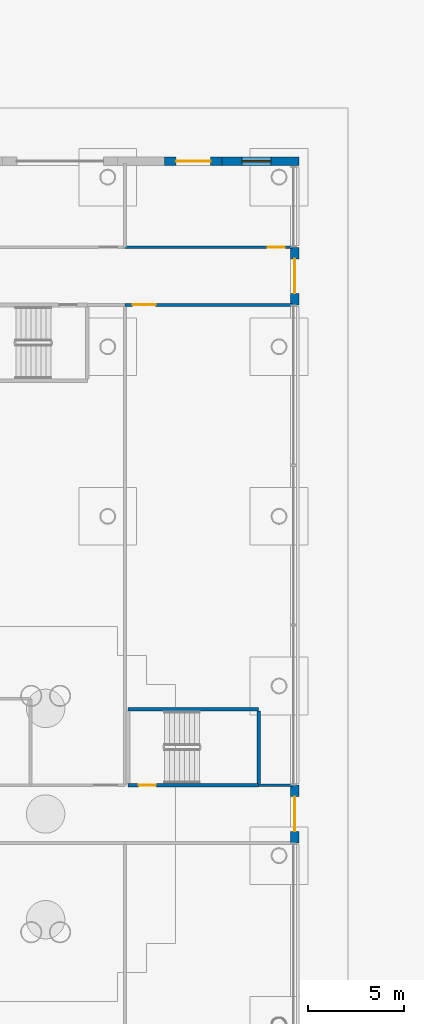
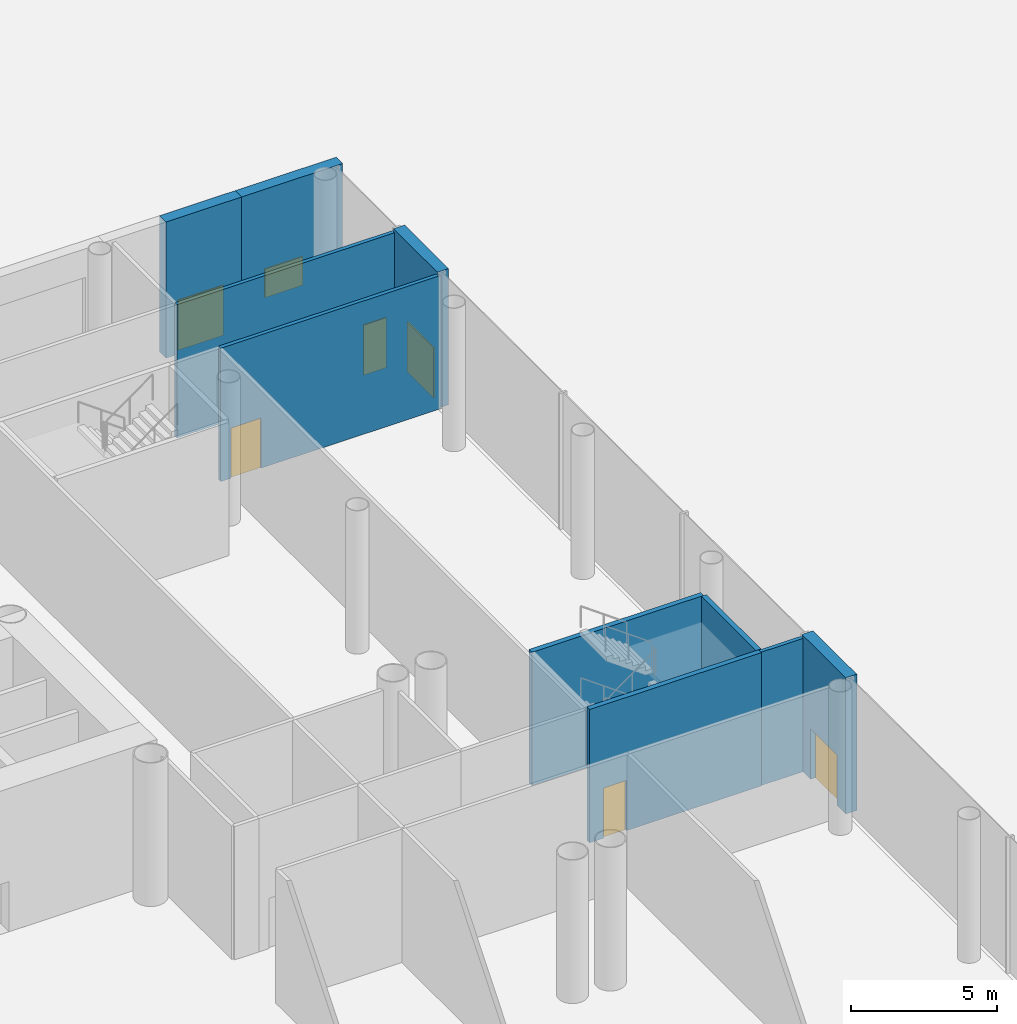
# One storey, part 38 of 75: 10 walls, 6 doors, 1 window, 7 openings.
"""IFC4 building model written with IfcOpenShell, lengths in metres."""

from ifc_helpers import new_model, si_unit, direction, frame, frame_2d, origin, place, context, subcontext, project, spatial, rectangle, extrude, material, layer, layer_set, type_object, element, fill, save


model = new_model("IFC4")

# Units and contexts
model_context = context("Model", 3, precision=1e-05, world=origin(), true_north=direction((0.0, 1.0)))
body_context = subcontext(model_context, "Body", "Model", "MODEL_VIEW")
ifc_project = project(units=[si_unit("LENGTHUNIT", "METRE"), si_unit("AREAUNIT", "SQUARE_METRE"), si_unit("VOLUMEUNIT", "CUBIC_METRE"), si_unit("PLANEANGLEUNIT", "RADIAN"), si_unit("MASSUNIT", "GRAM", prefix="KILO")], contexts=[model_context])

# Site, building, storey
site_placement = place(None, origin())
site = spatial("IfcSite", under=ifc_project, at=site_placement, CompositionType="ELEMENT")
building_placement = place(site_placement, origin())
building = spatial("IfcBuilding", under=site, at=building_placement, Name="Ipe Terrace Towers", CompositionType="ELEMENT")
storey_placement = place(building_placement, origin())
storey = spatial("IfcBuildingStorey", under=building, at=storey_placement, Name="L00", CompositionType="ELEMENT", Elevation=0.0)

# Wall, opening, door
ifc_material_1 = material(Name="Gypsum board partition", Category="plasterboard")
ifc_layer_1 = layer(ifc_material_1, 0.14990234375)
ifc_layer_set_1 = layer_set([ifc_layer_1], Name="Gypsum board partition 150 mm")
wall_type_1 = type_object("IfcWallType", Name="Gypsum board partition 150 mm", PredefinedType="PARTITIONING", material=ifc_layer_set_1)
wall_1_placement = place(storey_placement, frame((65.35009765625, 29.5, 0.0), z_axis=(0.0, 0.0, 1.0), x_axis=(-1.0, 0.0, 0.0)))
wall_1 = element("IfcWall", 1, at=wall_1_placement, inside=storey, type_object=wall_type_1, Name="Gypsum board partition T2 L00 pd-r57-w72", PredefinedType="PARTITIONING", context=body_context, shape_type="SweptSolid", body=[
    extrude(rectangle(XDim=8.72021484375, YDim=0.14990234375, at=frame_2d((4.360107421875, 0.0))), origin(), (0.0, 0.0, 1.0), 5.580078125),
])
opening_1_placement = place(wall_1_placement, frame((0.39990234375, 0.0, 0.0)))
opening_1 = element("IfcOpeningElement", 2, at=opening_1_placement, cuts=wall_1, Name="Opening PD-L00-r57", PredefinedType="OPENING", context=body_context, shape_type="SweptSolid", body=[
    extrude(rectangle(XDim=0.89990234375, YDim=2.10009765625, at=frame_2d((0.449951171875, 1.050048828125))), frame((0.0, 0.0849609375, 0.0), z_axis=(0.0, -1.0, 0.0), x_axis=(1.0, 0.0, 0.0)), (0.0, 0.0, 1.0), 0.169921875),
])
ifc_material_2 = material(Name="Fire-rated timber door leaf", Category="wood")
door_type_1 = type_object("IfcDoorType", Name="Lounge door 900 x 2100 FD30S", OperationType="NOTDEFINED", PredefinedType="DOOR", material=ifc_material_2)
door_1_placement = place(opening_1_placement, origin())
door_1 = element("IfcDoor", 3, at=door_1_placement, inside=storey, type_object=door_type_1, Name="Lounge door PD-L00-r57", OperationType="SINGLE_SWING_RIGHT", OverallHeight=2.10009765625, OverallWidth=0.89990234375, PredefinedType="DOOR", context=body_context, shape_type="SweptSolid", body=[
    extrude(rectangle(XDim=0.89990234375, YDim=2.10009765625, at=frame_2d((0.449951171875, 1.050048828125))), frame((0.0, 0.02490234375, 0.0), z_axis=(0.0, -1.0, 0.0), x_axis=(1.0, 0.0, 0.0)), (0.0, 0.0, 1.0), 0.050048828125),
])
fill(opening_1, door_1)

wall_2_placement = place(storey_placement, frame((56.6298828125, 26.5, 0.0), z_axis=(0.0, 0.0, 1.0), x_axis=(1.0, 0.0, 0.0)))
wall_2 = element("IfcWall", 4, at=wall_2_placement, inside=storey, type_object=wall_type_1, Name="Gypsum board partition T2 L00 pd-r58-w73", PredefinedType="PARTITIONING", context=body_context, shape_type="SweptSolid", body=[
    extrude(rectangle(XDim=8.72021484375, YDim=0.14990234375, at=frame_2d((4.360107421875, 0.0))), origin(), (0.0, 0.0, 1.0), 5.580078125),
])
opening_2_placement = place(wall_2_placement, frame((0.39990234375, 0.0, 0.0)))
opening_2 = element("IfcOpeningElement", 5, at=opening_2_placement, cuts=wall_2, Name="Opening PD-L00-r58", PredefinedType="OPENING", context=body_context, shape_type="SweptSolid", body=[
    extrude(rectangle(XDim=1.199951171875, YDim=2.10009765625, at=frame_2d((0.60009765625, 1.050048828125))), frame((0.0, 0.0849609375, 0.0), z_axis=(0.0, -1.0, 0.0), x_axis=(1.0, 0.0, 0.0)), (0.0, 0.0, 1.0), 0.169921875),
])
ifc_material_3 = material(Name="Fire-rated timber door leaf", Category="wood")
door_type_2 = type_object("IfcDoorType", Name="Lounge door 1200 x 2100 FD30S", OperationType="NOTDEFINED", PredefinedType="DOOR", material=ifc_material_3)
door_2_placement = place(opening_2_placement, origin())
door_2 = element("IfcDoor", 6, at=door_2_placement, inside=storey, type_object=door_type_2, Name="Lounge door PD-L00-r58", OperationType="SINGLE_SWING_RIGHT", OverallHeight=2.10009765625, OverallWidth=1.199951171875, PredefinedType="DOOR", context=body_context, shape_type="SweptSolid", body=[
    extrude(rectangle(XDim=1.199951171875, YDim=2.10009765625, at=frame_2d((0.60009765625, 1.050048828125))), frame((0.0, 0.02490234375, 0.0), z_axis=(0.0, -1.0, 0.0), x_axis=(1.0, 0.0, 0.0)), (0.0, 0.0, 1.0), 0.050048828125),
])
fill(opening_2, door_2)

# Wall
wall_3_placement = place(storey_placement, frame((65.35009765625, 1.5, 0.0), z_axis=(0.0, 0.0, 1.0), x_axis=(-1.0, 0.0, 0.0)))
element("IfcWall", 7, at=wall_3_placement, inside=storey, type_object=wall_type_1, Name="Gypsum board partition T2 L00 pd-r58-w74", PredefinedType="PARTITIONING", context=body_context, shape_type="SweptSolid", body=[
    extrude(rectangle(XDim=1.760009765625, YDim=0.14990234375, at=frame_2d((0.8798828125, 0.0))), origin(), (0.0, 0.0, 1.0), 5.580078125),
])

# Wall, opening, door
ifc_material_4 = material(Name="Concrete C40/50 with buff precast cladding", Category="concrete")
ifc_layer_2 = layer(ifc_material_4, 0.43994140625)
ifc_layer_set_2 = layer_set([ifc_layer_2], Name="PODIUM CLADDING WALL 440")
wall_type_2 = type_object("IfcWallType", Name="PODIUM CLADDING WALL 440", PredefinedType="STANDARD", material=ifc_layer_set_2)
wall_4_placement = place(storey_placement, frame((65.469970703125, -1.5, 0.0), z_axis=(0.0, 0.0, 1.0), x_axis=(0.0, 1.0, 0.0)))
wall_4 = element("IfcWall", 8, at=wall_4_placement, inside=storey, type_object=wall_type_2, Name="POD-W-L00-00d wall", PredefinedType="STANDARD", context=body_context, shape_type="SweptSolid", body=[
    extrude(rectangle(XDim=3.0, YDim=0.43994140625, at=frame_2d((1.5, 0.0))), origin(), (0.0, 0.0, 1.0), 5.699951171875),
])
opening_3_placement = place(wall_4_placement, frame((0.60009765625, 0.0, 0.0)))
opening_3 = element("IfcOpeningElement", 9, at=opening_3_placement, cuts=wall_4, Name="Opening POD-D-L00-01", PredefinedType="OPENING", context=body_context, shape_type="SweptSolid", body=[
    extrude(rectangle(XDim=1.800048828125, YDim=2.10009765625, at=frame_2d((0.89990234375, 1.050048828125))), frame((0.0, 0.22998046875, 0.0), z_axis=(0.0, -1.0, 0.0), x_axis=(1.0, 0.0, 0.0)), (0.0, 0.0, 1.0), 0.4599609375),
])
ifc_material_5 = material(Name="Steel S235 framed glazed exit door", Category="steel")
door_type_3 = type_object("IfcDoorType", Name="EXIT DOOR 1800 DOUBLE", OperationType="DOUBLE_DOOR_DOUBLE_SWING", PredefinedType="DOOR", material=ifc_material_5)
door_3_placement = place(opening_3_placement, origin())
door_3 = element("IfcDoor", 10, at=door_3_placement, inside=storey, type_object=door_type_3, Name="DX1 exit door", OperationType="DOUBLE_DOOR_DOUBLE_SWING", OverallHeight=2.10009765625, OverallWidth=1.800048828125, PredefinedType="DOOR", context=body_context, shape_type="SweptSolid", body=[
    extrude(rectangle(XDim=1.800048828125, YDim=2.10009765625, at=frame_2d((0.89990234375, 1.050048828125))), frame((0.0, 0.02490234375, 0.0), z_axis=(0.0, -1.0, 0.0), x_axis=(1.0, 0.0, 0.0)), (0.0, 0.0, 1.0), 0.050048828125),
])
fill(opening_3, door_3)

wall_5_placement = place(storey_placement, frame((65.469970703125, 26.5, 0.0), z_axis=(0.0, 0.0, 1.0), x_axis=(0.0, 1.0, 0.0)))
wall_5 = element("IfcWall", 11, at=wall_5_placement, inside=storey, type_object=wall_type_2, Name="POD-W-L00-00f wall", PredefinedType="STANDARD", context=body_context, shape_type="SweptSolid", body=[
    extrude(rectangle(XDim=3.0, YDim=0.43994140625, at=frame_2d((1.5, 0.0))), origin(), (0.0, 0.0, 1.0), 5.699951171875),
])
opening_4_placement = place(wall_5_placement, frame((0.60009765625, 0.0, 0.0)))
opening_4 = element("IfcOpeningElement", 12, at=opening_4_placement, cuts=wall_5, Name="Opening POD-D-L00-01", PredefinedType="OPENING", context=body_context, shape_type="SweptSolid", body=[
    extrude(rectangle(XDim=1.800048828125, YDim=2.10009765625, at=frame_2d((0.89990234375, 1.050048828125))), frame((0.0, 0.22998046875, 0.0), z_axis=(0.0, -1.0, 0.0), x_axis=(1.0, 0.0, 0.0)), (0.0, 0.0, 1.0), 0.4599609375),
])
door_4_placement = place(opening_4_placement, origin())
door_4 = element("IfcDoor", 13, at=door_4_placement, inside=storey, type_object=door_type_3, Name="DX1 exit door", OperationType="DOUBLE_DOOR_DOUBLE_SWING", OverallHeight=2.10009765625, OverallWidth=1.800048828125, PredefinedType="DOOR", context=body_context, shape_type="SweptSolid", body=[
    extrude(rectangle(XDim=1.800048828125, YDim=2.10009765625, at=frame_2d((0.89990234375, 1.050048828125))), frame((0.0, 0.02490234375, 0.0), z_axis=(0.0, -1.0, 0.0), x_axis=(1.0, 0.0, 0.0)), (0.0, 0.0, 1.0), 0.050048828125),
])
fill(opening_4, door_4)

# Wall, opening, window
wall_6_placement = place(storey_placement, frame((65.68994140625, 33.969970703125, 0.0), z_axis=(0.0, 0.0, 1.0), x_axis=(-1.0, 0.0, 0.0)))
wall_6 = element("IfcWall", 14, at=wall_6_placement, inside=storey, type_object=wall_type_2, Name="POD-W-L00-01a wall", PredefinedType="STANDARD", context=body_context, shape_type="SweptSolid", body=[
    extrude(rectangle(XDim=4.0, YDim=0.43994140625, at=frame_2d((2.0, 0.0))), origin(), (0.0, 0.0, 1.0), 5.699951171875),
])
opening_5_placement = place(wall_6_placement, frame((1.469970703125, 0.0, 1.0)))
opening_5 = element("IfcOpeningElement", 15, at=opening_5_placement, cuts=wall_6, Name="Opening POD-W-02-L00-178", PredefinedType="OPENING", context=body_context, shape_type="SweptSolid", body=[
    extrude(rectangle(XDim=1.5, YDim=1.199951171875, at=frame_2d((0.75, 0.60009765625))), frame((0.0, 0.22998046875, 0.0), z_axis=(0.0, -1.0, 0.0), x_axis=(1.0, 0.0, 0.0)), (0.0, 0.0, 1.0), 0.4599609375),
])
ifc_material_6 = material(Name="Glass, clear laminated", Category="glass")
window_type = type_object("IfcWindowType", Name="SERVICE WINDOW 1500 x 1200", PartitioningType="SINGLE_PANEL", PredefinedType="WINDOW", material=ifc_material_6)
window_placement = place(opening_5_placement, origin())
window = element("IfcWindow", 16, at=window_placement, inside=storey, type_object=window_type, Name="W-02 window", OverallHeight=1.199951171875, OverallWidth=1.5, PartitioningType="SINGLE_PANEL", PredefinedType="WINDOW", context=body_context, shape_type="SweptSolid", body=[
    extrude(rectangle(XDim=1.5, YDim=1.199951171875, at=frame_2d((0.75, 0.60009765625))), frame((0.0, 0.030029296875, 0.0), z_axis=(0.0, -1.0, 0.0), x_axis=(1.0, 0.0, 0.0)), (0.0, 0.0, 1.0), 0.06005859375),
])
fill(opening_5, window)

# Wall, opening, door
wall_7_placement = place(storey_placement, frame((61.68994140625, 33.969970703125, 0.0), z_axis=(0.0, 0.0, 1.0), x_axis=(-1.0, 0.0, 0.0)))
wall_7 = element("IfcWall", 17, at=wall_7_placement, inside=storey, type_object=wall_type_2, Name="POD-W-L00-01b wall", PredefinedType="STANDARD", context=body_context, shape_type="SweptSolid", body=[
    extrude(rectangle(XDim=3.0, YDim=0.43994140625, at=frame_2d((1.5, 0.0))), origin(), (0.0, 0.0, 1.0), 5.699951171875),
])
opening_6_placement = place(wall_7_placement, frame((0.60009765625, 0.0, 0.0)))
opening_6 = element("IfcOpeningElement", 18, at=opening_6_placement, cuts=wall_7, Name="Opening POD-D-L00-02", PredefinedType="OPENING", context=body_context, shape_type="SweptSolid", body=[
    extrude(rectangle(XDim=1.800048828125, YDim=2.10009765625, at=frame_2d((0.89990234375, 1.050048828125))), frame((0.0, 0.22998046875, 0.0), z_axis=(0.0, -1.0, 0.0), x_axis=(1.0, 0.0, 0.0)), (0.0, 0.0, 1.0), 0.4599609375),
])
ifc_material_7 = material(Name="Aluminium alloy 6063-T6 framed glazed door", Category="aluminium")
door_type_4 = type_object("IfcDoorType", Name="STREET DOOR 1800 DOUBLE", OperationType="DOUBLE_DOOR_DOUBLE_SWING", PredefinedType="DOOR", material=ifc_material_7)
door_5_placement = place(opening_6_placement, origin())
door_5 = element("IfcDoor", 19, at=door_5_placement, inside=storey, type_object=door_type_4, Name="DS1 street door", OperationType="DOUBLE_DOOR_DOUBLE_SWING", OverallHeight=2.10009765625, OverallWidth=1.800048828125, PredefinedType="DOOR", context=body_context, shape_type="SweptSolid", body=[
    extrude(rectangle(XDim=1.800048828125, YDim=2.10009765625, at=frame_2d((0.89990234375, 1.050048828125))), frame((0.0, 0.02490234375, 0.0), z_axis=(0.0, -1.0, 0.0), x_axis=(1.0, 0.0, 0.0)), (0.0, 0.0, 1.0), 0.050048828125),
])
fill(opening_6, door_5)

ifc_material_8 = material(Name="Concrete C40/50", Category="concrete")
ifc_layer_3 = layer(ifc_material_8, 0.199951171875)
ifc_layer_set_3 = layer_set([ifc_layer_3], Name="RW200 PODIUM STAIR SHAFT WALL 200 C40-50")
wall_type_3 = type_object("IfcWallType", Name="RW200 PODIUM STAIR SHAFT WALL 200 C40-50", PredefinedType="SHEAR", material=ifc_layer_set_3)
wall_8_placement = place(storey_placement, frame((56.7900390625, 1.5, 0.0), z_axis=(0.0, 0.0, 1.0), x_axis=(1.0, 0.0, 0.0)))
wall_8 = element("IfcWall", 20, at=wall_8_placement, inside=storey, type_object=wall_type_3, Name="Stair shaft wall T2 L00 ps8-c", PredefinedType="SHEAR", context=body_context, shape_type="SweptSolid", body=[
    extrude(rectangle(XDim=6.800048828125, YDim=0.199951171875, at=frame_2d((3.39990234375, 0.0))), origin(), (0.0, 0.0, 1.0), 5.580078125),
])
opening_7_placement = place(wall_8_placement, frame((0.550048828125, 0.0, 0.0)))
opening_7 = element("IfcOpeningElement", 21, at=opening_7_placement, cuts=wall_8, Name="Opening PS8-SD", PredefinedType="OPENING", context=body_context, shape_type="SweptSolid", body=[
    extrude(rectangle(XDim=0.89990234375, YDim=2.10009765625, at=frame_2d((0.449951171875, 1.050048828125))), frame((0.0, 0.10986328125, 0.0), z_axis=(0.0, -1.0, 0.0), x_axis=(1.0, 0.0, 0.0)), (0.0, 0.0, 1.0), 0.219970703125),
])
ifc_material_9 = material(Name="Fire-rated timber door leaf", Category="wood")
door_type_5 = type_object("IfcDoorType", Name="Stair door 900 x 2100 FD60", OperationType="NOTDEFINED", PredefinedType="DOOR", material=ifc_material_9)
door_6_placement = place(opening_7_placement, origin())
door_6 = element("IfcDoor", 22, at=door_6_placement, inside=storey, type_object=door_type_5, Name="Stair door PS8-SD", OperationType="SINGLE_SWING_RIGHT", OverallHeight=2.10009765625, OverallWidth=0.89990234375, PredefinedType="DOOR", context=body_context, shape_type="SweptSolid", body=[
    extrude(rectangle(XDim=0.89990234375, YDim=2.10009765625, at=frame_2d((0.449951171875, 1.050048828125))), frame((0.0, 0.02490234375, 0.0), z_axis=(0.0, -1.0, 0.0), x_axis=(1.0, 0.0, 0.0)), (0.0, 0.0, 1.0), 0.050048828125),
])
fill(opening_7, door_6)

# Walls
wall_9_placement = place(storey_placement, frame((56.7900390625, 5.449951171875, 0.0), z_axis=(0.0, 0.0, 1.0), x_axis=(1.0, 0.0, 0.0)))
element("IfcWall", 23, at=wall_9_placement, inside=storey, type_object=wall_type_3, Name="Stair shaft wall T2 L00 ps8-f", PredefinedType="SHEAR", context=body_context, shape_type="SweptSolid", body=[
    extrude(rectangle(XDim=6.800048828125, YDim=0.199951171875, at=frame_2d((3.39990234375, 0.0))), origin(), (0.0, 0.0, 1.0), 5.580078125),
])
wall_10_placement = place(storey_placement, frame((63.590087890625, 1.60009765625, 0.0), z_axis=(0.0, 0.0, 1.0), x_axis=(0.0, 1.0, 0.0)))
element("IfcWall", 24, at=wall_10_placement, inside=storey, type_object=wall_type_3, Name="Stair shaft wall T2 L00 ps8-e", PredefinedType="SHEAR", context=body_context, shape_type="SweptSolid", body=[
    extrude(rectangle(XDim=3.75, YDim=0.199951171875, at=frame_2d((1.875, 0.0))), origin(), (0.0, 0.0, 1.0), 5.580078125),
])

save(model, "model.ifc")
